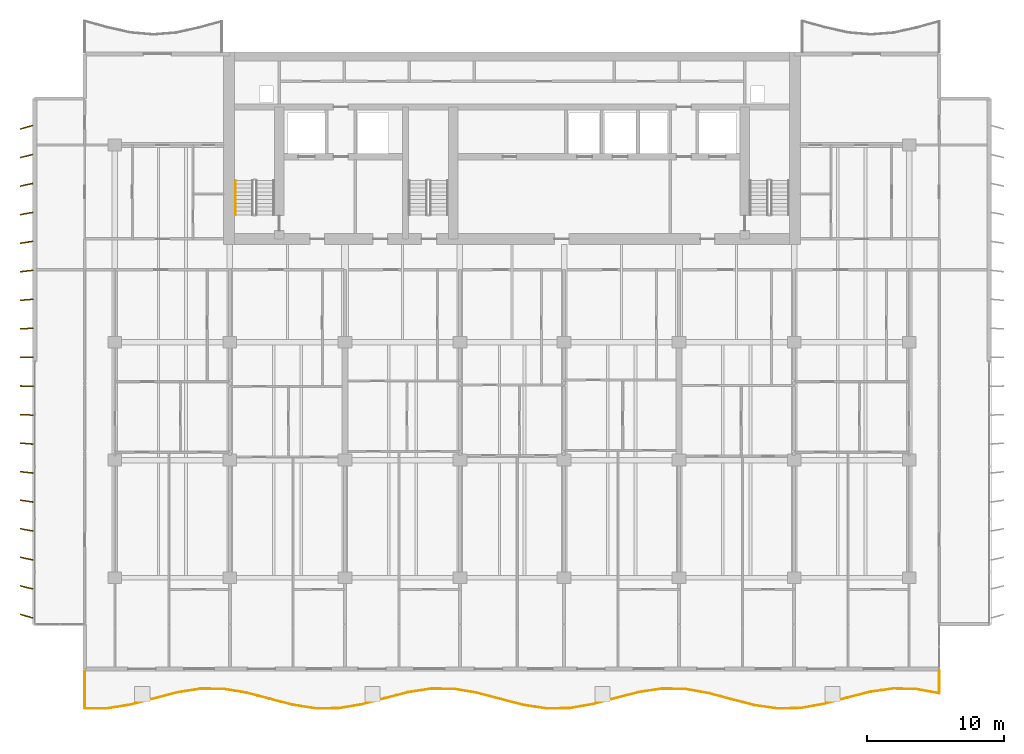
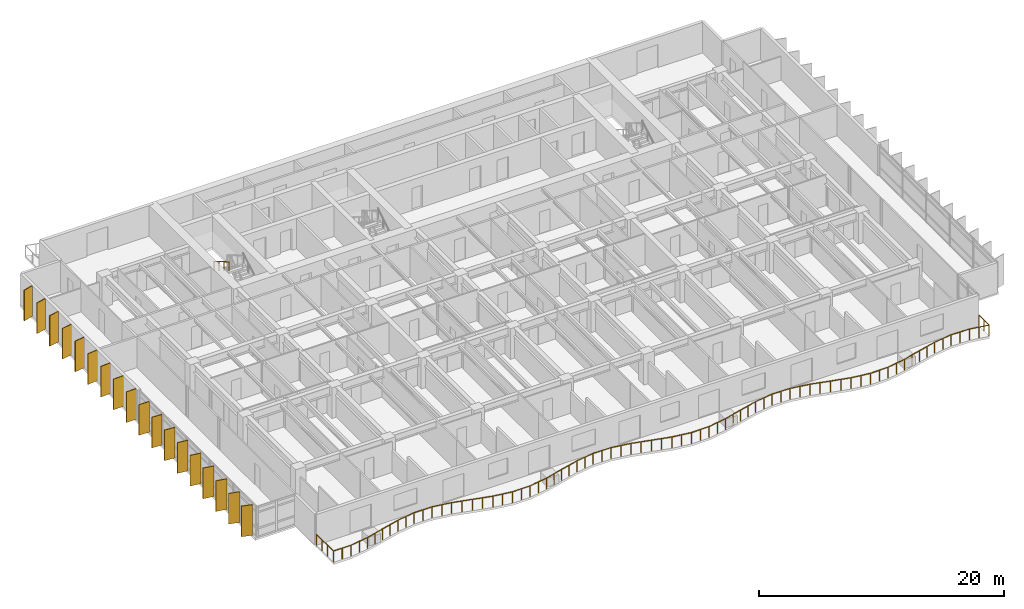
# One storey, part 15 of 18: 18 shading devices, 2 railings.
"""IFC4 building model written with IfcOpenShell, lengths in metres."""

import ifcopenshell
import ifcopenshell.guid

model = None  # the IFC model being written
_history = None  # IfcOwnerHistory: only IFC2X3 demands one
_inside = {}  # id of a spatial element -> (the spatial element, [elements in it])
_under = {}  # id of a project, library or spatial element -> (it, [spatial elements below it])
_declared = {}  # id of a project -> (the project, [libraries it declares])
_typed = {}  # id of a type object -> (the type object, [elements of that type])
_made_of = {}  # id of a material, layer set ... -> (it, [elements and type objects made of it])


def new_model(schema):
    """Start an empty IFC model of exactly this schema.

    Asked for "IFC4X3", IfcOpenShell would pick the latest addendum, in which some entities
    have other attributes; the version numbers below select the first issue.
    IFC2X3 requires an IfcOwnerHistory on every rooted entity: one is made here for all.
    """
    global model, _history
    if schema == "IFC4X3":
        model = ifcopenshell.file(schema_version=(4, 3, 0, 0))
    else:
        model = ifcopenshell.file(schema=schema)
    _inside.clear()
    _under.clear()
    _declared.clear()
    _typed.clear()
    _made_of.clear()
    _history = None
    if model.schema == "IFC2X3":
        org = make("IfcOrganization", Name="unknown")
        user = make(
            "IfcPersonAndOrganization",
            ThePerson=make("IfcPerson", FamilyName="unknown"),
            TheOrganization=org,
        )
        app = make(
            "IfcApplication",
            ApplicationDeveloper=org,
            Version="unknown",
            ApplicationFullName="unknown",
            ApplicationIdentifier="unknown",
        )
        _history = make(
            "IfcOwnerHistory",
            OwningUser=user,
            OwningApplication=app,
            ChangeAction="ADDED",
            CreationDate=0,
        )
    return model


def make(cls, **values):
    """One entity of the class cls with the attributes given. An attribute that is None is left unset."""
    return model.create_entity(
        cls, **{name: value for name, value in values.items() if value is not None}
    )


def rooted(cls, **values):
    """An entity with a GlobalId (a new one), such as an element, a storey or a relation."""
    return make(cls, GlobalId=ifcopenshell.guid.new(), OwnerHistory=_history, **values)


def si_unit(unit_type, name, prefix=None):
    """IfcSIUnit, for example si_unit("LENGTHUNIT", "METRE", prefix="MILLI")."""
    return make("IfcSIUnit", UnitType=unit_type, Prefix=prefix, Name=name)


def assignment(units):
    """IfcUnitAssignment: the units of a project."""
    return None if units is None else make("IfcUnitAssignment", Units=units)


def point(xyz):
    """IfcCartesianPoint."""
    return None if xyz is None else make("IfcCartesianPoint", Coordinates=xyz)


def direction(xyz):
    """IfcDirection."""
    return None if xyz is None else make("IfcDirection", DirectionRatios=xyz)


def frame(location, z_axis=None, x_axis=None):
    """IfcAxis2Placement3D, a coordinate frame: its origin and axes. An axis left out is left unset."""
    return make(
        "IfcAxis2Placement3D",
        Location=point(location),
        Axis=direction(z_axis),
        RefDirection=direction(x_axis),
    )


def frame_2d(location, x_axis=None):
    """IfcAxis2Placement2D, a coordinate frame in the plane: its origin and x axis."""
    return make(
        "IfcAxis2Placement2D", Location=point(location), RefDirection=direction(x_axis)
    )


def origin():
    """The frame at (0, 0, 0) with its axes left unset."""
    return frame((0.0, 0.0, 0.0))


def origin_2d():
    """The frame at (0, 0) in the plane with its x axis left unset."""
    return frame_2d((0.0, 0.0))


def place(relative_to, where):
    """IfcLocalPlacement: puts the frame where relative to a parent placement (None: the world)."""
    return make(
        "IfcLocalPlacement", PlacementRelTo=relative_to, RelativePlacement=where
    )


def context(
    kind, dimensions, precision=None, world=None, true_north=None, identifier=None
):
    """IfcGeometricRepresentationContext, for example the 3D "Model" context."""
    return make(
        "IfcGeometricRepresentationContext",
        ContextIdentifier=identifier,
        ContextType=kind,
        CoordinateSpaceDimension=dimensions,
        Precision=precision,
        WorldCoordinateSystem=world,
        TrueNorth=true_north,
    )


def subcontext(parent, identifier, kind, view, scale=None):
    """IfcGeometricRepresentationSubContext, for example "Body" below "Model"."""
    return make(
        "IfcGeometricRepresentationSubContext",
        ContextIdentifier=identifier,
        ContextType=kind,
        ParentContext=parent,
        TargetScale=scale,
        TargetView=view,
    )


def project(units=None, contexts=None):
    """IfcProject with its units and contexts."""
    return rooted(
        "IfcProject",
        Name="project",
        RepresentationContexts=contexts,
        UnitsInContext=assignment(units),
    )


def spatial(cls, under=None, at=None, **own):
    """A site, building, storey or space (cls), placed at a placement, below another one or the project."""
    s = rooted(cls, ObjectPlacement=at, **own)
    if under is not None:
        _under.setdefault(under.id(), (under, []))[1].append(s)
    return s


def profile(cls, at=None, kind="AREA", **sizes):
    """A parametric profile (cls). Its sizes go by their IFC names, for example OverallWidth=200.0."""
    return make(cls, ProfileType=kind, Position=at, **sizes)


def rectangle(**sizes):
    """IfcRectangleProfileDef."""
    return profile("IfcRectangleProfileDef", **sizes)


def circle(**sizes):
    """IfcCircleProfileDef."""
    return profile("IfcCircleProfileDef", **sizes)


def extrude(swept, where, along, depth):
    """IfcExtrudedAreaSolid: the profile swept, set in the frame where, extruded along a direction by depth."""
    return make(
        "IfcExtrudedAreaSolid",
        SweptArea=swept,
        Position=where,
        ExtrudedDirection=direction(along),
        Depth=depth,
    )


def shape(context_of_items, identifier, shape_type, items):
    """IfcShapeRepresentation: the items that make up one representation, for example the "Body"."""
    return make(
        "IfcShapeRepresentation",
        ContextOfItems=context_of_items,
        RepresentationIdentifier=identifier,
        RepresentationType=shape_type,
        Items=items,
    )


def material(Name=None, Category=None):
    """IfcMaterial."""
    return make("IfcMaterial", Name=Name, Category=Category)


def material_profile(
    of_material, cross_section, Name=None, Category=None, Priority=None
):
    """IfcMaterialProfile: a cross section and its material."""
    return make(
        "IfcMaterialProfile",
        Name=Name,
        Material=of_material,
        Profile=cross_section,
        Priority=Priority,
        Category=Category,
    )


def profile_set(profiles, Name=None, composite=None):
    """IfcMaterialProfileSet."""
    return make(
        "IfcMaterialProfileSet",
        Name=Name,
        MaterialProfiles=profiles,
        CompositeProfile=composite,
    )


def made_of(thing, what):
    """Note that an element or type object is made of a material, layer set ...; save() writes the relation."""
    if what is not None:
        _made_of.setdefault(what.id(), (what, []))[1].append(thing)
    return thing


def type_object(cls, material=None, **own):
    """A type object (cls), such as IfcWallType, which elements share."""
    return made_of(rooted(cls, **own), material)


def element(
    cls,
    number,
    at=None,
    inside=None,
    cuts=None,
    type_object=None,
    material=None,
    context=None,
    identifier="Body",
    shape_type=None,
    held_by="IfcProductDefinitionShape",
    body=None,
    shapes=None,
    **own,
):
    """One element of the class cls, such as IfcWall. Its Tag is "e" and its number.

    at: its placement. inside: the storey or other place that contains it. cuts: it is an
    opening in that element (IfcRelVoidsElement). A single representation is given by context,
    identifier, shape_type and body (its items); several are given by shapes. held_by: the class
    of the entity that holds the representations. save() writes the other relations.
    """
    e = rooted(cls, Tag="e%d" % number, ObjectPlacement=at, **own)
    if body is not None:
        shapes = [shape(context, identifier, shape_type, body)]
    if shapes is not None:
        e.Representation = make(held_by, Representations=shapes)
    if inside is not None:
        _inside.setdefault(inside.id(), (inside, []))[1].append(e)
    if cuts is not None:
        rooted(
            "IfcRelVoidsElement", RelatingBuildingElement=cuts, RelatedOpeningElement=e
        )
    if type_object is not None:
        _typed.setdefault(type_object.id(), (type_object, []))[1].append(e)
    return made_of(e, material)


def aggregate(whole, parts):
    """IfcRelAggregates: a whole, such as a stair, and the parts it consists of."""
    return rooted("IfcRelAggregates", RelatingObject=whole, RelatedObjects=parts)


def save(model, path):
    """Write the relations noted so far, then the file.

    IfcRelAggregates (storeys below a building ...), IfcRelContainedInSpatialStructure (elements
    in a storey), IfcRelDefinesByType, IfcRelAssociatesMaterial and IfcRelDeclares: one each for
    every whole, place, type object, material and project.
    """
    for whole, parts in _under.values():
        aggregate(whole, parts)
    for where, things in _inside.values():
        rooted(
            "IfcRelContainedInSpatialStructure",
            RelatedElements=things,
            RelatingStructure=where,
        )
    for kind, things in _typed.values():
        rooted("IfcRelDefinesByType", RelatedObjects=things, RelatingType=kind)
    for what, things in _made_of.values():
        rooted("IfcRelAssociatesMaterial", RelatedObjects=things, RelatingMaterial=what)
    for by, libraries in _declared.values():
        rooted("IfcRelDeclares", RelatingContext=by, RelatedDefinitions=libraries)
    model.write(path)


model = new_model("IFC4")

# Units and contexts
model_context = context("Model", 3, precision=1e-05, world=origin(), true_north=direction((0.0, 1.0)))
body_context = subcontext(model_context, "Body", "Model", "MODEL_VIEW")
ifc_project = project(units=[si_unit("LENGTHUNIT", "METRE"), si_unit("AREAUNIT", "SQUARE_METRE"), si_unit("VOLUMEUNIT", "CUBIC_METRE"), si_unit("PLANEANGLEUNIT", "RADIAN"), si_unit("MASSUNIT", "GRAM", prefix="KILO")], contexts=[model_context])

# Site, building, storey
site_placement = place(None, origin())
site = spatial("IfcSite", under=ifc_project, at=site_placement, CompositionType="ELEMENT")
building_placement = place(site_placement, origin())
building = spatial("IfcBuilding", under=site, at=building_placement, Name="Caelmar Bay Residences", CompositionType="ELEMENT")
storey_placement = place(building_placement, frame((0.0, 0.0, 129.0)))
storey = spatial("IfcBuildingStorey", under=building, at=storey_placement, Name="L35", CompositionType="ELEMENT", Elevation=129.0)

# Railings
ifc_material_1 = material(Name="Anodised bronze handrail with laminated hurricane glass infill", Category="glass")
railing_type_1 = type_object("IfcRailingType", Name="RL-BAL-1100", PredefinedType="BALUSTRADE", material=ifc_material_1)
railing_1_placement = place(storey_placement, frame((7.699951171875, 5.39990234375, 0.0)))
element("IfcRailing", 1, at=railing_1_placement, inside=storey, type_object=railing_type_1, Name="L35 south Balcony Balustrade", PredefinedType="BALUSTRADE", context=body_context, shape_type="SweptSolid", body=[
    extrude(circle(Radius=0.02392578125, at=origin_2d()), frame((0.0, 0.0, 1.076171875), z_axis=(0.0, -1.0, 0.0), x_axis=(1.0, 0.0, 0.0)), (0.0, 0.0, 1.0), 2.733154296875),
    extrude(circle(Radius=0.02392578125, at=origin_2d()), frame((0.0, -2.733154296875, 1.076171875), z_axis=(0.999999958089, 0.000289519386, 0.0), x_axis=(-0.000289519386, 0.999999958089, 0.0)), (0.0, 0.0, 1.0), 1.6865234375),
    extrude(circle(Radius=0.02392578125, at=origin_2d()), frame((1.6865234375, -2.732666015625, 1.076171875), z_axis=(0.986974579676, 0.160876284991, 0.0), x_axis=(-0.160876284991, 0.986974579676, 0.0)), (0.0, 0.0, 1.0), 1.708740234375),
    extrude(circle(Radius=0.02392578125, at=origin_2d()), frame((3.373046875, -2.457763671875, 1.076171875), z_axis=(0.967139791751, 0.254245202927, 0.0), x_axis=(-0.254245202927, 0.967139791751, 0.0)), (0.0, 0.0, 1.0), 1.743896484375),
    extrude(circle(Radius=0.02392578125, at=origin_2d()), frame((5.0595703125, -2.014404296875, 1.076171875), z_axis=(0.967440029978, 0.253100352421, 0.0), x_axis=(-0.253100352421, 0.967440029978, 0.0)), (0.0, 0.0, 1.0), 1.742919921875),
    extrude(circle(Radius=0.02392578125, at=origin_2d()), frame((6.745849609375, -1.5732421875, 1.076171875), z_axis=(0.9874914269, 0.157672704672, 0.0), x_axis=(-0.157672704672, 0.9874914269, 0.0)), (0.0, 0.0, 1.0), 1.7080078125),
    extrude(circle(Radius=0.02392578125, at=origin_2d()), frame((8.432373046875, -1.303955078125, 1.076171875), z_axis=(0.999993451511, -0.003618968774, 0.0), x_axis=(0.003618968774, 0.999993451511, 0.0)), (0.0, 0.0, 1.0), 1.6865234375),
    extrude(circle(Radius=0.02392578125, at=origin_2d()), frame((10.118896484375, -1.31005859375, 1.076171875), z_axis=(0.986563231063, -0.163379898138, 0.0), x_axis=(0.163379898138, 0.986563231063, 0.0)), (0.0, 0.0, 1.0), 1.70947265625),
    extrude(circle(Radius=0.02392578125, at=origin_2d()), frame((11.805419921875, -1.58935546875, 1.076171875), z_axis=(0.966898439916, -0.255161530974, 0.0), x_axis=(0.255161530974, 0.966898439916, 0.0)), (0.0, 0.0, 1.0), 1.744140625),
    extrude(circle(Radius=0.02392578125, at=origin_2d()), frame((13.491943359375, -2.034423828125, 1.076171875), z_axis=(0.967688638473, -0.252148168682, 0.0), x_axis=(0.252148168682, 0.967688638473, 0.0)), (0.0, 0.0, 1.0), 1.742919921875),
    extrude(circle(Radius=0.02392578125, at=origin_2d()), frame((15.178466796875, -2.473876953125, 1.076171875), z_axis=(0.987910938924, -0.155022504023, 0.0), x_axis=(0.155022504023, 0.987910938924, 0.0)), (0.0, 0.0, 1.0), 1.707275390625),
    extrude(circle(Radius=0.02392578125, at=origin_2d()), frame((16.864990234375, -2.738525390625, 1.076171875), z_axis=(0.999975860287, 0.006948297813, 0.0), x_axis=(-0.006948297813, 0.999975860287, 0.0)), (0.0, 0.0, 1.0), 1.6865234375),
    extrude(circle(Radius=0.02392578125, at=origin_2d()), frame((18.551513671875, -2.726806640625, 1.076171875), z_axis=(0.986118588389, 0.166042553684, 0.0), x_axis=(-0.166042553684, 0.986118588389, 0.0)), (0.0, 0.0, 1.0), 1.7099609375),
    extrude(circle(Radius=0.02392578125, at=origin_2d()), frame((20.23779296875, -2.44287109375, 1.076171875), z_axis=(0.966690972381, 0.255946408292, 0.0), x_axis=(-0.255946408292, 0.966690972381, 0.0)), (0.0, 0.0, 1.0), 1.74462890625),
    extrude(circle(Radius=0.02392578125, at=origin_2d()), frame((21.92431640625, -1.996337890625, 1.076171875), z_axis=(0.967927523166, 0.251229595981, 0.0), x_axis=(-0.251229595981, 0.967927523166, 0.0)), (0.0, 0.0, 1.0), 1.742431640625),
    extrude(circle(Radius=0.02392578125, at=origin_2d()), frame((23.61083984375, -1.55859375, 1.076171875), z_axis=(0.988323683, 0.152368952287, 0.0), x_axis=(-0.152368952287, 0.988323683, 0.0)), (0.0, 0.0, 1.0), 1.70654296875),
    extrude(circle(Radius=0.02392578125, at=origin_2d()), frame((25.29736328125, -1.298583984375, 1.076171875), z_axis=(0.999945688105, -0.010422132244, 0.0), x_axis=(0.010422132244, 0.999945688105, 0.0)), (0.0, 0.0, 1.0), 1.6865234375),
    extrude(circle(Radius=0.02392578125, at=origin_2d()), frame((26.98388671875, -1.316162109375, 1.076171875), z_axis=(0.985698872847, -0.168516266478, 0.0), x_axis=(0.168516266478, 0.985698872847, 0.0)), (0.0, 0.0, 1.0), 1.7109375),
    extrude(circle(Radius=0.02392578125, at=origin_2d()), frame((28.67041015625, -1.6044921875, 1.076171875), z_axis=(0.966448234949, -0.256861459086, 0.0), x_axis=(0.256861459086, 0.966448234949, 0.0)), (0.0, 0.0, 1.0), 1.7451171875),
    extrude(circle(Radius=0.02392578125, at=origin_2d()), frame((30.35693359375, -2.052734375, 1.076171875), z_axis=(0.968224786027, -0.250081514156, 0.0), x_axis=(0.250081514156, 0.968224786027, 0.0)), (0.0, 0.0, 1.0), 1.74169921875),
    extrude(circle(Radius=0.02392578125, at=origin_2d()), frame((32.043212890625, -2.48828125, 1.076171875), z_axis=(0.988729632771, -0.149712101314, 0.0), x_axis=(0.149712101314, 0.988729632771, 0.0)), (0.0, 0.0, 1.0), 1.705810546875),
    extrude(circle(Radius=0.02392578125, at=origin_2d()), frame((33.729736328125, -2.74365234375, 1.076171875), z_axis=(0.999905452302, 0.013750871159, 0.0), x_axis=(-0.013750871159, 0.999905452302, 0.0)), (0.0, 0.0, 1.0), 1.686767578125),
    extrude(circle(Radius=0.02392578125, at=origin_2d()), frame((35.416259765625, -2.720458984375, 1.076171875), z_axis=(0.985269273516, 0.17101011276, 0.0), x_axis=(-0.17101011276, 0.985269273516, 0.0)), (0.0, 0.0, 1.0), 1.711669921875),
    extrude(circle(Radius=0.02392578125, at=origin_2d()), frame((37.102783203125, -2.427734375, 1.076171875), z_axis=(0.966239582517, 0.257645238998, 0.0), x_axis=(-0.257645238998, 0.966239582517, 0.0)), (0.0, 0.0, 1.0), 1.745361328125),
    extrude(circle(Radius=0.02392578125, at=origin_2d()), frame((38.789306640625, -1.97802734375, 1.076171875), z_axis=(0.968504525457, 0.248995952115, 0.0), x_axis=(-0.248995952115, 0.968504525457, 0.0)), (0.0, 0.0, 1.0), 1.741455078125),
    extrude(circle(Radius=0.02392578125, at=origin_2d()), frame((40.475830078125, -1.54443359375, 1.076171875), z_axis=(0.989149579657, 0.146911909196, 0.0), x_axis=(-0.146911909196, 0.989149579657, 0.0)), (0.0, 0.0, 1.0), 1.705078125),
    extrude(circle(Radius=0.02392578125, at=origin_2d()), frame((42.162353515625, -1.2939453125, 1.076171875), z_axis=(0.999856560301, -0.016936907131, 0.0), x_axis=(0.016936907131, 0.999856560301, 0.0)), (0.0, 0.0, 1.0), 1.6865234375),
    extrude(circle(Radius=0.02392578125, at=origin_2d()), frame((43.8486328125, -1.322509765625, 1.076171875), z_axis=(0.984833750045, -0.173500676578, 0.0), x_axis=(0.173500676578, 0.984833750045, 0.0)), (0.0, 0.0, 1.0), 1.71240234375),
    extrude(circle(Radius=0.02392578125, at=origin_2d()), frame((45.53515625, -1.61962890625, 1.076171875), z_axis=(0.966030385071, -0.258428510656, 0.0), x_axis=(0.258428510656, 0.966030385071, 0.0)), (0.0, 0.0, 1.0), 1.745849609375),
    extrude(circle(Radius=0.02392578125, at=origin_2d()), frame((47.2216796875, -2.07080078125, 1.076171875), z_axis=(0.968808185874, -0.24781182172, 0.0), x_axis=(0.24781182172, 0.968808185874, 0.0)), (0.0, 0.0, 1.0), 1.74072265625),
    extrude(circle(Radius=0.02392578125, at=origin_2d()), frame((48.908203125, -2.502197265625, 1.076171875), z_axis=(0.989521045856, -0.144388710802, 0.0), x_axis=(0.144388710802, 0.989521045856, 0.0)), (0.0, 0.0, 1.0), 1.704345703125),
    extrude(circle(Radius=0.02392578125, at=origin_2d()), frame((50.5947265625, -2.748291015625, 1.076171875), z_axis=(0.999791758205, 0.020406867097, 0.0), x_axis=(-0.020406867097, 0.999791758205, 0.0)), (0.0, 0.0, 1.0), 1.686767578125),
    extrude(circle(Radius=0.02392578125, at=origin_2d()), frame((52.28125, -2.7138671875, 1.076171875), z_axis=(0.984387912567, 0.176012606344, 0.0), x_axis=(-0.176012606344, 0.984387912567, 0.0)), (0.0, 0.0, 1.0), 1.713134765625),
    extrude(circle(Radius=0.02392578125, at=origin_2d()), frame((53.967529296875, -2.412353515625, 1.076171875), z_axis=(0.965855638387, 0.259080847992, 0.0), x_axis=(-0.259080847992, 0.965855638387, 0.0)), (0.0, 0.0, 1.0), 1.74609375),
    extrude(circle(Radius=0.02392578125, at=origin_2d()), frame((55.654052734375, -1.9599609375, 1.076171875), z_axis=(0.969077049344, 0.246758327996, 0.0), x_axis=(-0.246758327996, 0.969077049344, 0.0)), (0.0, 0.0, 1.0), 1.740234375),
    extrude(circle(Radius=0.02392578125, at=origin_2d()), frame((57.340576171875, -1.530517578125, 1.076171875), z_axis=(0.98994662737, 0.141441418821, 0.0), x_axis=(-0.141441418821, 0.98994662737, 0.0)), (0.0, 0.0, 1.0), 1.70361328125),
    extrude(circle(Radius=0.02392578125, at=origin_2d()), frame((59.027099609375, -1.28955078125, 1.076171875), z_axis=(0.999718311246, -0.023733903162, 0.0), x_axis=(0.023733903162, 0.999718311246, 0.0)), (0.0, 0.0, 1.0), 1.68701171875),
    extrude(circle(Radius=0.02392578125, at=origin_2d()), frame((60.713623046875, -1.32958984375, 1.076171875), z_axis=(0.983970032718, -0.17833388549, 0.0), x_axis=(0.17833388549, 0.983970032718, 0.0)), (0.0, 0.0, 1.0), 1.714111328125),
    extrude(circle(Radius=0.02392578125, at=origin_2d()), frame((62.400146484375, -1.63525390625, 1.076171875), z_axis=(0.0, 1.0, 0.0), x_axis=(-1.0, 0.0, 0.0)), (0.0, 0.0, 1.0), 1.63525390625),
    extrude(circle(Radius=0.02099609375, at=origin_2d()), origin(), (0.0, 0.0, 1.0), 1.052001953125),
    extrude(circle(Radius=0.02099609375, at=origin_2d()), frame((0.0, -0.9111328125, 0.0)), (0.0, 0.0, 1.0), 1.052001953125),
    extrude(circle(Radius=0.02099609375, at=origin_2d()), frame((0.0, -1.822021484375, 0.0)), (0.0, 0.0, 1.0), 1.052001953125),
    extrude(circle(Radius=0.02099609375, at=origin_2d()), frame((0.0, -2.733154296875, 0.0)), (0.0, 0.0, 1.0), 1.052001953125),
    extrude(circle(Radius=0.02099609375, at=origin_2d()), frame((0.84326171875, -2.73291015625, 0.0)), (0.0, 0.0, 1.0), 1.052001953125),
    extrude(circle(Radius=0.02099609375, at=origin_2d()), frame((1.6865234375, -2.732666015625, 0.0)), (0.0, 0.0, 1.0), 1.052001953125),
    extrude(circle(Radius=0.02099609375, at=origin_2d()), frame((2.52978515625, -2.59521484375, 0.0)), (0.0, 0.0, 1.0), 1.052001953125),
    extrude(circle(Radius=0.02099609375, at=origin_2d()), frame((3.373046875, -2.457763671875, 0.0)), (0.0, 0.0, 1.0), 1.052001953125),
    extrude(circle(Radius=0.02099609375, at=origin_2d()), frame((4.21630859375, -2.236083984375, 0.0)), (0.0, 0.0, 1.0), 1.052001953125),
    extrude(circle(Radius=0.02099609375, at=origin_2d()), frame((5.0595703125, -2.014404296875, 0.0)), (0.0, 0.0, 1.0), 1.052001953125),
    extrude(circle(Radius=0.02099609375, at=origin_2d()), frame((5.90283203125, -1.7939453125, 0.0)), (0.0, 0.0, 1.0), 1.052001953125),
    extrude(circle(Radius=0.02099609375, at=origin_2d()), frame((6.745849609375, -1.5732421875, 0.0)), (0.0, 0.0, 1.0), 1.052001953125),
    extrude(circle(Radius=0.02099609375, at=origin_2d()), frame((7.589111328125, -1.4384765625, 0.0)), (0.0, 0.0, 1.0), 1.052001953125),
    extrude(circle(Radius=0.02099609375, at=origin_2d()), frame((8.432373046875, -1.303955078125, 0.0)), (0.0, 0.0, 1.0), 1.052001953125),
    extrude(circle(Radius=0.02099609375, at=origin_2d()), frame((9.275634765625, -1.30712890625, 0.0)), (0.0, 0.0, 1.0), 1.052001953125),
    extrude(circle(Radius=0.02099609375, at=origin_2d()), frame((10.118896484375, -1.31005859375, 0.0)), (0.0, 0.0, 1.0), 1.052001953125),
    extrude(circle(Radius=0.02099609375, at=origin_2d()), frame((10.962158203125, -1.44970703125, 0.0)), (0.0, 0.0, 1.0), 1.052001953125),
    extrude(circle(Radius=0.02099609375, at=origin_2d()), frame((11.805419921875, -1.58935546875, 0.0)), (0.0, 0.0, 1.0), 1.052001953125),
    extrude(circle(Radius=0.02099609375, at=origin_2d()), frame((12.648681640625, -1.81201171875, 0.0)), (0.0, 0.0, 1.0), 1.052001953125),
    extrude(circle(Radius=0.02099609375, at=origin_2d()), frame((13.491943359375, -2.034423828125, 0.0)), (0.0, 0.0, 1.0), 1.052001953125),
    extrude(circle(Radius=0.02099609375, at=origin_2d()), frame((14.335205078125, -2.254150390625, 0.0)), (0.0, 0.0, 1.0), 1.052001953125),
    extrude(circle(Radius=0.02099609375, at=origin_2d()), frame((15.178466796875, -2.473876953125, 0.0)), (0.0, 0.0, 1.0), 1.052001953125),
    extrude(circle(Radius=0.02099609375, at=origin_2d()), frame((16.021728515625, -2.606201171875, 0.0)), (0.0, 0.0, 1.0), 1.052001953125),
    extrude(circle(Radius=0.02099609375, at=origin_2d()), frame((16.864990234375, -2.738525390625, 0.0)), (0.0, 0.0, 1.0), 1.052001953125),
    extrude(circle(Radius=0.02099609375, at=origin_2d()), frame((17.708251953125, -2.732666015625, 0.0)), (0.0, 0.0, 1.0), 1.052001953125),
    extrude(circle(Radius=0.02099609375, at=origin_2d()), frame((18.551513671875, -2.726806640625, 0.0)), (0.0, 0.0, 1.0), 1.052001953125),
    extrude(circle(Radius=0.02099609375, at=origin_2d()), frame((19.39453125, -2.5849609375, 0.0)), (0.0, 0.0, 1.0), 1.052001953125),
    extrude(circle(Radius=0.02099609375, at=origin_2d()), frame((20.23779296875, -2.44287109375, 0.0)), (0.0, 0.0, 1.0), 1.052001953125),
    extrude(circle(Radius=0.02099609375, at=origin_2d()), frame((21.0810546875, -2.2197265625, 0.0)), (0.0, 0.0, 1.0), 1.052001953125),
    extrude(circle(Radius=0.02099609375, at=origin_2d()), frame((21.92431640625, -1.996337890625, 0.0)), (0.0, 0.0, 1.0), 1.052001953125),
    extrude(circle(Radius=0.02099609375, at=origin_2d()), frame((22.767578125, -1.77734375, 0.0)), (0.0, 0.0, 1.0), 1.052001953125),
    extrude(circle(Radius=0.02099609375, at=origin_2d()), frame((23.61083984375, -1.55859375, 0.0)), (0.0, 0.0, 1.0), 1.052001953125),
    extrude(circle(Radius=0.02099609375, at=origin_2d()), frame((24.4541015625, -1.4287109375, 0.0)), (0.0, 0.0, 1.0), 1.052001953125),
    extrude(circle(Radius=0.02099609375, at=origin_2d()), frame((25.29736328125, -1.298583984375, 0.0)), (0.0, 0.0, 1.0), 1.052001953125),
    extrude(circle(Radius=0.02099609375, at=origin_2d()), frame((26.140625, -1.307373046875, 0.0)), (0.0, 0.0, 1.0), 1.052001953125),
    extrude(circle(Radius=0.02099609375, at=origin_2d()), frame((26.98388671875, -1.316162109375, 0.0)), (0.0, 0.0, 1.0), 1.052001953125),
    extrude(circle(Radius=0.02099609375, at=origin_2d()), frame((27.8271484375, -1.46044921875, 0.0)), (0.0, 0.0, 1.0), 1.052001953125),
    extrude(circle(Radius=0.02099609375, at=origin_2d()), frame((28.67041015625, -1.6044921875, 0.0)), (0.0, 0.0, 1.0), 1.052001953125),
    extrude(circle(Radius=0.02099609375, at=origin_2d()), frame((29.513671875, -1.82861328125, 0.0)), (0.0, 0.0, 1.0), 1.052001953125),
    extrude(circle(Radius=0.02099609375, at=origin_2d()), frame((30.35693359375, -2.052734375, 0.0)), (0.0, 0.0, 1.0), 1.052001953125),
    extrude(circle(Radius=0.02099609375, at=origin_2d()), frame((31.2001953125, -2.2705078125, 0.0)), (0.0, 0.0, 1.0), 1.052001953125),
    extrude(circle(Radius=0.02099609375, at=origin_2d()), frame((32.043212890625, -2.48828125, 0.0)), (0.0, 0.0, 1.0), 1.052001953125),
    extrude(circle(Radius=0.02099609375, at=origin_2d()), frame((32.886474609375, -2.615966796875, 0.0)), (0.0, 0.0, 1.0), 1.052001953125),
    extrude(circle(Radius=0.02099609375, at=origin_2d()), frame((33.729736328125, -2.74365234375, 0.0)), (0.0, 0.0, 1.0), 1.052001953125),
    extrude(circle(Radius=0.02099609375, at=origin_2d()), frame((34.572998046875, -2.73193359375, 0.0)), (0.0, 0.0, 1.0), 1.052001953125),
    extrude(circle(Radius=0.02099609375, at=origin_2d()), frame((35.416259765625, -2.720458984375, 0.0)), (0.0, 0.0, 1.0), 1.052001953125),
    extrude(circle(Radius=0.02099609375, at=origin_2d()), frame((36.259521484375, -2.57421875, 0.0)), (0.0, 0.0, 1.0), 1.052001953125),
    extrude(circle(Radius=0.02099609375, at=origin_2d()), frame((37.102783203125, -2.427734375, 0.0)), (0.0, 0.0, 1.0), 1.052001953125),
    extrude(circle(Radius=0.02099609375, at=origin_2d()), frame((37.946044921875, -2.202880859375, 0.0)), (0.0, 0.0, 1.0), 1.052001953125),
    extrude(circle(Radius=0.02099609375, at=origin_2d()), frame((38.789306640625, -1.97802734375, 0.0)), (0.0, 0.0, 1.0), 1.052001953125),
    extrude(circle(Radius=0.02099609375, at=origin_2d()), frame((39.632568359375, -1.76123046875, 0.0)), (0.0, 0.0, 1.0), 1.052001953125),
    extrude(circle(Radius=0.02099609375, at=origin_2d()), frame((40.475830078125, -1.54443359375, 0.0)), (0.0, 0.0, 1.0), 1.052001953125),
    extrude(circle(Radius=0.02099609375, at=origin_2d()), frame((41.319091796875, -1.419189453125, 0.0)), (0.0, 0.0, 1.0), 1.052001953125),
    extrude(circle(Radius=0.02099609375, at=origin_2d()), frame((42.162353515625, -1.2939453125, 0.0)), (0.0, 0.0, 1.0), 1.052001953125),
    extrude(circle(Radius=0.02099609375, at=origin_2d()), frame((43.00537109375, -1.30810546875, 0.0)), (0.0, 0.0, 1.0), 1.052001953125),
    extrude(circle(Radius=0.02099609375, at=origin_2d()), frame((43.8486328125, -1.322509765625, 0.0)), (0.0, 0.0, 1.0), 1.052001953125),
    extrude(circle(Radius=0.02099609375, at=origin_2d()), frame((44.69189453125, -1.47119140625, 0.0)), (0.0, 0.0, 1.0), 1.052001953125),
    extrude(circle(Radius=0.02099609375, at=origin_2d()), frame((45.53515625, -1.61962890625, 0.0)), (0.0, 0.0, 1.0), 1.052001953125),
    extrude(circle(Radius=0.02099609375, at=origin_2d()), frame((46.37841796875, -1.84521484375, 0.0)), (0.0, 0.0, 1.0), 1.052001953125),
    extrude(circle(Radius=0.02099609375, at=origin_2d()), frame((47.2216796875, -2.07080078125, 0.0)), (0.0, 0.0, 1.0), 1.052001953125),
    extrude(circle(Radius=0.02099609375, at=origin_2d()), frame((48.06494140625, -2.28662109375, 0.0)), (0.0, 0.0, 1.0), 1.052001953125),
    extrude(circle(Radius=0.02099609375, at=origin_2d()), frame((48.908203125, -2.502197265625, 0.0)), (0.0, 0.0, 1.0), 1.052001953125),
    extrude(circle(Radius=0.02099609375, at=origin_2d()), frame((49.75146484375, -2.625244140625, 0.0)), (0.0, 0.0, 1.0), 1.052001953125),
    extrude(circle(Radius=0.02099609375, at=origin_2d()), frame((50.5947265625, -2.748291015625, 0.0)), (0.0, 0.0, 1.0), 1.052001953125),
    extrude(circle(Radius=0.02099609375, at=origin_2d()), frame((51.43798828125, -2.73095703125, 0.0)), (0.0, 0.0, 1.0), 1.052001953125),
    extrude(circle(Radius=0.02099609375, at=origin_2d()), frame((52.28125, -2.7138671875, 0.0)), (0.0, 0.0, 1.0), 1.052001953125),
    extrude(circle(Radius=0.02099609375, at=origin_2d()), frame((53.12451171875, -2.56298828125, 0.0)), (0.0, 0.0, 1.0), 1.052001953125),
    extrude(circle(Radius=0.02099609375, at=origin_2d()), frame((53.967529296875, -2.412353515625, 0.0)), (0.0, 0.0, 1.0), 1.052001953125),
    extrude(circle(Radius=0.02099609375, at=origin_2d()), frame((54.810791015625, -2.18603515625, 0.0)), (0.0, 0.0, 1.0), 1.052001953125),
    extrude(circle(Radius=0.02099609375, at=origin_2d()), frame((55.654052734375, -1.9599609375, 0.0)), (0.0, 0.0, 1.0), 1.052001953125),
    extrude(circle(Radius=0.02099609375, at=origin_2d()), frame((56.497314453125, -1.7451171875, 0.0)), (0.0, 0.0, 1.0), 1.052001953125),
    extrude(circle(Radius=0.02099609375, at=origin_2d()), frame((57.340576171875, -1.530517578125, 0.0)), (0.0, 0.0, 1.0), 1.052001953125),
    extrude(circle(Radius=0.02099609375, at=origin_2d()), frame((58.183837890625, -1.41015625, 0.0)), (0.0, 0.0, 1.0), 1.052001953125),
    extrude(circle(Radius=0.02099609375, at=origin_2d()), frame((59.027099609375, -1.28955078125, 0.0)), (0.0, 0.0, 1.0), 1.052001953125),
    extrude(circle(Radius=0.02099609375, at=origin_2d()), frame((59.870361328125, -1.3095703125, 0.0)), (0.0, 0.0, 1.0), 1.052001953125),
    extrude(circle(Radius=0.02099609375, at=origin_2d()), frame((60.713623046875, -1.32958984375, 0.0)), (0.0, 0.0, 1.0), 1.052001953125),
    extrude(circle(Radius=0.02099609375, at=origin_2d()), frame((61.556884765625, -1.482421875, 0.0)), (0.0, 0.0, 1.0), 1.052001953125),
    extrude(circle(Radius=0.02099609375, at=origin_2d()), frame((62.400146484375, -1.63525390625, 0.0)), (0.0, 0.0, 1.0), 1.052001953125),
    extrude(circle(Radius=0.02099609375, at=origin_2d()), frame((62.400146484375, -0.817626953125, 0.0)), (0.0, 0.0, 1.0), 1.052001953125),
    extrude(circle(Radius=0.02099609375, at=origin_2d()), frame((62.400146484375, 0.0, 0.0)), (0.0, 0.0, 1.0), 1.052001953125),
])
ifc_material_2 = material(Name="Brushed bronze stainless-steel tubular handrail 900 mm", Category="steel")
railing_type_2 = type_object("IfcRailingType", Name="RL-HND-900", PredefinedType="HANDRAIL", material=ifc_material_2)
railing_2_placement = place(storey_placement, frame((18.699951171875, 41.219970703125, 1.81494140625)))
element("IfcRailing", 2, at=railing_2_placement, inside=storey, type_object=railing_type_2, Name="L35 ST1 stair handrail 2", PredefinedType="HANDRAIL", context=body_context, shape_type="SweptSolid", body=[
    extrude(circle(Radius=0.02392578125, at=origin_2d()), frame((0.0, 0.0, 0.8759765625), z_axis=(0.0, -0.86152411907, 0.507716645641), x_axis=(1.0, 0.0, 0.0)), (0.0, 0.0, 1.0), 2.925048828125),
    extrude(circle(Radius=0.02099609375, at=origin_2d()), origin(), (0.0, 0.0, 1.0), 0.851806640625),
    extrude(circle(Radius=0.02099609375, at=origin_2d()), frame((0.0, -0.840087890625, 0.4951171875)), (0.0, 0.0, 1.0), 0.851806640625),
    extrude(circle(Radius=0.02099609375, at=origin_2d()), frame((0.0, -1.679931640625, 0.989990234375)), (0.0, 0.0, 1.0), 0.851806640625),
    extrude(circle(Radius=0.02099609375, at=origin_2d()), frame((0.0, -2.52001953125, 1.485107421875)), (0.0, 0.0, 1.0), 0.851806640625),
])

# Shading devices
ifc_material_3 = material(Name="Anodised architectural bronze aluminium 6063-T6", Category="aluminium")
ifc_material_profile = material_profile(ifc_material_3, rectangle(XDim=0.074951171875, YDim=0.949951171875, at=origin_2d()), Name="BRONZE-FIN-75X950")
ifc_profile_set = profile_set([ifc_material_profile], Name="Anodised architectural bronze aluminium 6063-T6")
shading_device_type = type_object("IfcShadingDeviceType", Name="SHD-FIN-950", PredefinedType="USERDEFINED", material=ifc_profile_set)
for number, where, z_axis, x_axis, name in (
    (3, (3.449951171875, 9.39990234375, 0.0), (0.0, 0.0, 1.0), (0.275637355817, 0.961261695938, 0.0), "L35 West Bronze Solar Fin 1"),
    (4, (3.449951171875, 11.5, 0.0), (0.0, 0.0, 1.0), (0.243953546137, 0.969786918517, 0.0), "L35 West Bronze Solar Fin 2"),
    (5, (3.449951171875, 13.60009765625, 0.0), (0.0, 0.0, 1.0), (0.212007109922, 0.977268123568, 0.0), "L35 West Bronze Solar Fin 3"),
    (6, (3.449951171875, 15.699951171875, 0.0), (0.0, 0.0, 1.0), (0.179660748593, 0.98372862895, 0.0), "L35 West Bronze Solar Fin 4"),
    (7, (3.449951171875, 17.800048828125, 0.0), (0.0, 0.0, 1.0), (0.147291543397, 0.989093120613, 0.0), "L35 West Bronze Solar Fin 5"),
    (8, (3.449951171875, 19.89990234375, 0.0), (0.0, 0.0, 1.0), (0.114763772489, 0.993392810787, 0.0), "L35 West Bronze Solar Fin 6"),
    (9, (3.449951171875, 22.0, 0.0), (0.0, 0.0, 1.0), (0.08211245342, 0.996623070671, 0.0), "L35 West Bronze Solar Fin 7"),
    (10, (3.449951171875, 24.10009765625, 0.0), (0.0, 0.0, 1.0), (0.049198415926, 0.998789024705, 0.0), "L35 West Bronze Solar Fin 8"),
    (11, (3.449951171875, 26.199951171875, 0.0), (0.0, 0.0, 1.0), (0.016405359001, 0.999865423043, 0.0), "L35 West Bronze Solar Fin 9"),
    (12, (3.449951171875, 28.300048828125, 0.0), (0.0, 0.0, 1.0), (-0.016405359001, 0.999865423043, 0.0), "L35 West Bronze Solar Fin 10"),
    (13, (3.449951171875, 30.39990234375, 0.0), (0.0, 0.0, 1.0), (-0.049198415926, 0.998789024705, 0.0), "L35 West Bronze Solar Fin 11"),
    (14, (3.449951171875, 32.5, 0.0), (0.0, 0.0, 1.0), (-0.08211245342, 0.996623070671, 0.0), "L35 West Bronze Solar Fin 12"),
    (15, (3.449951171875, 34.60009765625, 0.0), (0.0, 0.0, 1.0), (-0.114763772489, 0.993392810787, 0.0), "L35 West Bronze Solar Fin 13"),
    (16, (3.449951171875, 36.699951171875, 0.0), (0.0, 0.0, 1.0), (-0.147291543397, 0.989093120613, 0.0), "L35 West Bronze Solar Fin 14"),
    (17, (3.449951171875, 38.800048828125, 0.0), (0.0, 0.0, 1.0), (-0.179660748593, 0.98372862895, 0.0), "L35 West Bronze Solar Fin 15"),
    (18, (3.449951171875, 40.89990234375, 0.0), (0.0, 0.0, 1.0), (-0.212007109922, 0.977268123568, 0.0), "L35 West Bronze Solar Fin 16"),
    (19, (3.449951171875, 43.0, 0.0), (0.0, 0.0, 1.0), (-0.243953546137, 0.969786918517, 0.0), "L35 West Bronze Solar Fin 17"),
    (20, (3.449951171875, 45.10009765625, 0.0), (0.0, 0.0, 1.0), (-0.275637355817, 0.961261695938, 0.0), "L35 West Bronze Solar Fin 18"),
):
    element("IfcShadingDevice", number, at=place(storey_placement, frame(where, z_axis=z_axis, x_axis=x_axis)), inside=storey, type_object=shading_device_type, Name=name, ObjectType="FIN", PredefinedType="USERDEFINED", context=body_context, shape_type="SweptSolid", body=[
        extrude(rectangle(XDim=0.074951171875, YDim=0.949951171875, at=origin_2d()), origin(), (0.0, 0.0, 1.0), 3.050048828125),
    ])

save(model, "model.ifc")
